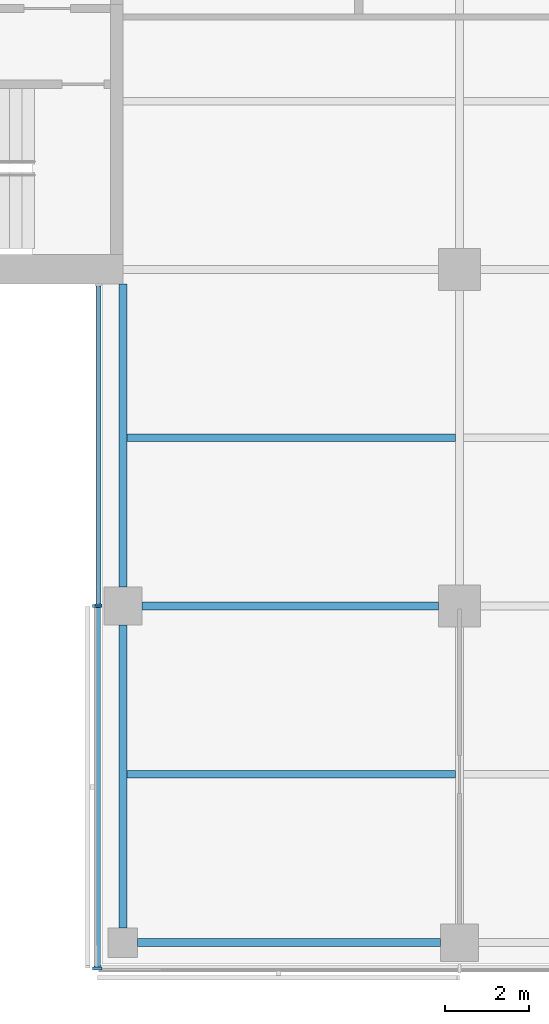
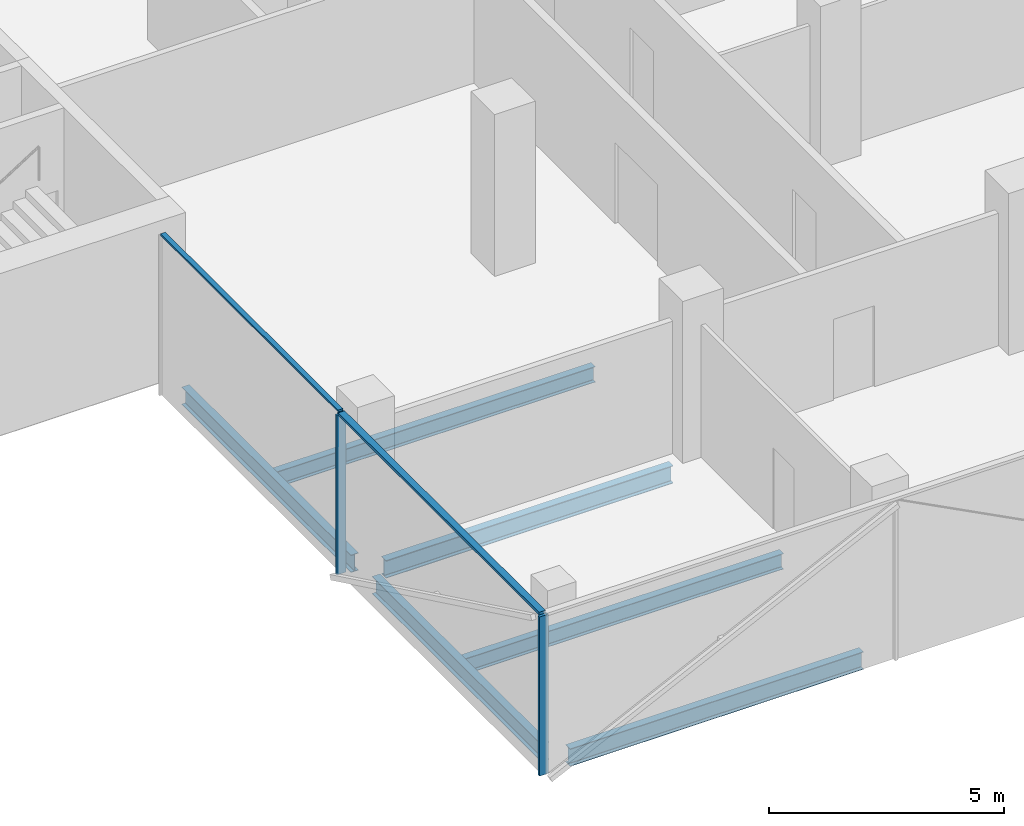
# One storey, part 2 of 22: 6 beams, 5 members, 2 elements without a shape of their own.
"""IFC4 building model written with IfcOpenShell, lengths in metres."""

from ifc_helpers import new_model, si_unit, direction, frame, origin, origin_2d, place, context, subcontext, project, spatial, rectangle, i_section, extrude, material, material_profile, profile_set, type_object, element, aggregate, save


model = new_model("IFC4")

# Units and contexts
model_context = context("Model", 3, precision=1e-05, world=origin(), true_north=direction((0.0, 1.0)))
body_context = subcontext(model_context, "Body", "Model", "MODEL_VIEW")
ifc_project = project(units=[si_unit("LENGTHUNIT", "METRE"), si_unit("AREAUNIT", "SQUARE_METRE"), si_unit("VOLUMEUNIT", "CUBIC_METRE"), si_unit("PLANEANGLEUNIT", "RADIAN"), si_unit("MASSUNIT", "GRAM", prefix="KILO")], contexts=[model_context])

# Site, building, storey
site_placement = place(None, origin())
site = spatial("IfcSite", under=ifc_project, at=site_placement, CompositionType="ELEMENT")
building_placement = place(site_placement, origin())
building = spatial("IfcBuilding", under=site, at=building_placement, Name="Crosswind Convention Tower", CompositionType="ELEMENT")
storey_placement = place(building_placement, frame((0.0, 0.0, 116.89990234375)))
storey = spatial("IfcBuildingStorey", under=building, at=storey_placement, Name="L23", CompositionType="ELEMENT", Elevation=116.89990234375)

# Beams
ifc_material_1 = material(Name="Steel S355", Category="steel")
ifc_material_profile_1 = material_profile(ifc_material_1, i_section(OverallWidth=0.18994140625, OverallDepth=0.45361328125, WebThickness=0.008544921875, FlangeThickness=0.0126953125, FilletRadius=0.01025390625, at=origin_2d()), Name="UB 457x191x67")
ifc_profile_set_1 = profile_set([ifc_material_profile_1], Name="Steel S355")
beam_type_1 = type_object("IfcBeamType", Name="Edge beam UB 457x191x67", PredefinedType="SPANDREL", material=ifc_profile_set_1)
for number, where, z_axis, x_axis, name in (
    (1, (113.0, 72.35009765625, -0.526611328125), (0.0, 1.0, 0.0), (-1.0, 0.0, 0.0), "B16 L23 edge beam 6"),
    (2, (113.0, 80.449951171875, -0.526611328125), (0.0, 1.0, 0.0), (-1.0, 0.0, 0.0), "B16 L23 edge beam 7"),
    (3, (113.35009765625, 72.0, -0.526611328125), (1.0, 0.0, 0.0), (0.0, 1.0, 0.0), "B16 L23 edge beam 10"),
):
    element("IfcBeam", number, at=place(storey_placement, frame(where, z_axis=z_axis, x_axis=x_axis)), inside=storey, type_object=beam_type_1, Name=name, PredefinedType="SPANDREL", context=body_context, shape_type="SweptSolid", body=[
        extrude(i_section(OverallWidth=0.18994140625, OverallDepth=0.45361328125, WebThickness=0.008544921875, FlangeThickness=0.0126953125, FilletRadius=0.01025390625, at=origin_2d()), origin(), (0.0, 0.0, 1.0), 7.199951171875),
    ])
ifc_material_profile_2 = material_profile(ifc_material_1, i_section(OverallWidth=0.19140625, OverallDepth=0.460205078125, WebThickness=0.010009765625, FlangeThickness=0.01611328125, FilletRadius=0.01025390625, at=origin_2d()), Name="UB 457x191x82")
ifc_profile_set_2 = profile_set([ifc_material_profile_2], Name="Steel S355")
beam_type_2 = type_object("IfcBeamType", Name="Girder UB 457x191x82", PredefinedType="BEAM", material=ifc_profile_set_2)
beam_placement = place(storey_placement, frame((113.449951171875, 80.0, -0.530029296875), z_axis=(1.0, 0.0, 0.0), x_axis=(0.0, 1.0, 0.0)))
element("IfcBeam", 4, at=beam_placement, inside=storey, type_object=beam_type_2, Name="B3 L23 girder 1", PredefinedType="BEAM", context=body_context, shape_type="SweptSolid", body=[
    extrude(i_section(OverallWidth=0.19140625, OverallDepth=0.460205078125, WebThickness=0.010009765625, FlangeThickness=0.01611328125, FilletRadius=0.01025390625, at=origin_2d()), origin(), (0.0, 0.0, 1.0), 7.050048828125),
])

# Curtain wall, member
ifc_material_2 = material(Name="Aluminium unitised curtain wall", Category="aluminium")
curtain_wall_type_1 = type_object("IfcCurtainWallType", Name="CORE END SLOT WALL 160", PredefinedType="USERDEFINED", material=ifc_material_2)
curtain_wall_1_placement = place(storey_placement, origin())
curtain_wall_1 = element("IfcCurtainWall", 5, at=curtain_wall_1_placement, inside=storey, type_object=curtain_wall_type_1, Name="CW6 L23 S-W.1-1 slot", ObjectType="UNITISED", PredefinedType="USERDEFINED")
ifc_material_3 = material(Name="Aluminium mullion", Category="aluminium")
ifc_material_profile_3 = material_profile(ifc_material_3, rectangle(XDim=0.159912109375, YDim=0.050048828125, at=origin_2d()), Name="AL 160X50")
ifc_profile_set_3 = profile_set([ifc_material_profile_3], Name="Aluminium mullion")
member_type_1 = type_object("IfcMemberType", Name="MULLION 50X160", PredefinedType="MULLION", material=ifc_profile_set_3)
member_1_placement = place(storey_placement, frame((112.419921875, 80.02490234375, -0.2998046875), z_axis=(0.0, 0.0, 1.0), x_axis=(-1.0, 0.0, 0.0)))
member_1 = element("IfcMember", 6, at=member_1_placement, type_object=member_type_1, Name="CW6 mullion 2", PredefinedType="MULLION", context=body_context, shape_type="SweptSolid", body=[
    extrude(rectangle(XDim=0.159912109375, YDim=0.050048828125, at=origin_2d()), origin(), (0.0, 0.0, 1.0), 4.14990234375),
])

# Curtain wall, members
curtain_wall_type_2 = type_object("IfcCurtainWallType", Name="OFFICE UNITISED WALL 220", PredefinedType="USERDEFINED", material=ifc_material_2)
curtain_wall_2_placement = place(storey_placement, origin())
curtain_wall_2 = element("IfcCurtainWall", 7, at=curtain_wall_2_placement, inside=storey, type_object=curtain_wall_type_2, Name="CW3 L23 S-W 1", ObjectType="UNITISED", PredefinedType="USERDEFINED")
ifc_material_profile_4 = material_profile(ifc_material_3, rectangle(XDim=0.219970703125, YDim=0.070068359375, at=origin_2d()), Name="AL 220X70")
ifc_profile_set_4 = profile_set([ifc_material_profile_4], Name="Aluminium mullion")
member_type_2 = type_object("IfcMemberType", Name="MULLION 70X220", PredefinedType="MULLION", material=ifc_profile_set_4)
member_2_placement = place(storey_placement, frame((112.389892578125, 80.0, -0.2998046875), z_axis=(0.0, 0.0, 1.0), x_axis=(-1.0, 0.0, 0.0)))
member_2 = element("IfcMember", 8, at=member_2_placement, type_object=member_type_2, Name="CW3 mullion 1", PredefinedType="MULLION", context=body_context, shape_type="SweptSolid", body=[
    extrude(rectangle(XDim=0.219970703125, YDim=0.070068359375, at=origin_2d()), origin(), (0.0, 0.0, 1.0), 4.1298828125),
])
member_3_placement = place(storey_placement, frame((112.389892578125, 71.389892578125, -0.2998046875), z_axis=(0.0, 0.0, 1.0), x_axis=(-1.0, 0.0, 0.0)))
member_3 = element("IfcMember", 9, at=member_3_placement, type_object=member_type_2, Name="CW3 mullion 2", PredefinedType="MULLION", context=body_context, shape_type="SweptSolid", body=[
    extrude(rectangle(XDim=0.219970703125, YDim=0.070068359375, at=origin_2d()), origin(), (0.0, 0.0, 1.0), 4.1298828125),
])

# Beams
ifc_material_profile_5 = material_profile(ifc_material_1, i_section(OverallWidth=0.177734375, OverallDepth=0.406494140625, WebThickness=0.0078125, FlangeThickness=0.0126953125, FilletRadius=0.01025390625, at=origin_2d()), Name="UB 406x178x60")
ifc_profile_set_5 = profile_set([ifc_material_profile_5], Name="Steel S355")
beam_type_3 = type_object("IfcBeamType", Name="Secondary beam UB 406x178x60", PredefinedType="JOIST", material=ifc_profile_set_5)
for number, where, z_axis, x_axis, name in (
    (10, (113.094970703125, 76.0, -0.503173828125), (1.0, 0.0, 0.0), (0.0, 1.0, 0.0), "B10 L23 secondary beam 7"),
    (11, (113.094970703125, 84.0, -0.503173828125), (1.0, 0.0, 0.0), (0.0, 1.0, 0.0), "B10 L23 secondary beam 8"),
):
    element("IfcBeam", number, at=place(storey_placement, frame(where, z_axis=z_axis, x_axis=x_axis)), inside=storey, type_object=beam_type_3, Name=name, PredefinedType="JOIST", context=body_context, shape_type="SweptSolid", body=[
        extrude(i_section(OverallWidth=0.177734375, OverallDepth=0.406494140625, WebThickness=0.0078125, FlangeThickness=0.0126953125, FilletRadius=0.01025390625, at=origin_2d()), origin(), (0.0, 0.0, 1.0), 7.809326171875),
    ])

# Member
ifc_material_4 = material(Name="Aluminium transom", Category="aluminium")
ifc_material_profile_6 = material_profile(ifc_material_4, rectangle(XDim=0.1201171875, YDim=0.050048828125, at=origin_2d()), Name="AL 120X50")
ifc_profile_set_6 = profile_set([ifc_material_profile_6], Name="Aluminium transom")
member_type_3 = type_object("IfcMemberType", Name="TRANSOM 50X120", PredefinedType="USERDEFINED", material=ifc_profile_set_6)
member_4_placement = place(storey_placement, frame((112.419921875, 87.60009765625, 3.875), z_axis=(0.0, -1.0, 0.0), x_axis=(1.0, 0.0, 0.0)))
member_4 = element("IfcMember", 12, at=member_4_placement, type_object=member_type_3, Name="CW6 transom", ObjectType="TRANSOM", PredefinedType="USERDEFINED", context=body_context, shape_type="SweptSolid", body=[
    extrude(rectangle(XDim=0.1201171875, YDim=0.050048828125, at=origin_2d()), origin(), (0.0, 0.0, 1.0), 7.550048828125),
])

aggregate(curtain_wall_1, [member_1, member_4])

ifc_material_profile_7 = material_profile(ifc_material_4, rectangle(XDim=0.159912109375, YDim=0.070068359375, at=origin_2d()), Name="AL 160X70")
ifc_profile_set_7 = profile_set([ifc_material_profile_7], Name="Aluminium transom")
member_type_4 = type_object("IfcMemberType", Name="TRANSOM 70X160", PredefinedType="USERDEFINED", material=ifc_profile_set_7)
member_5_placement = place(storey_placement, frame((112.389892578125, 79.965087890625, 3.864990234375), z_axis=(0.0, -1.0, 0.0), x_axis=(1.0, 0.0, 0.0)))
member_5 = element("IfcMember", 13, at=member_5_placement, type_object=member_type_4, Name="CW3 transom", ObjectType="TRANSOM", PredefinedType="USERDEFINED", context=body_context, shape_type="SweptSolid", body=[
    extrude(rectangle(XDim=0.159912109375, YDim=0.070068359375, at=origin_2d()), origin(), (0.0, 0.0, 1.0), 8.5400390625),
])

aggregate(curtain_wall_2, [member_2, member_3, member_5])

save(model, "model.ifc")
